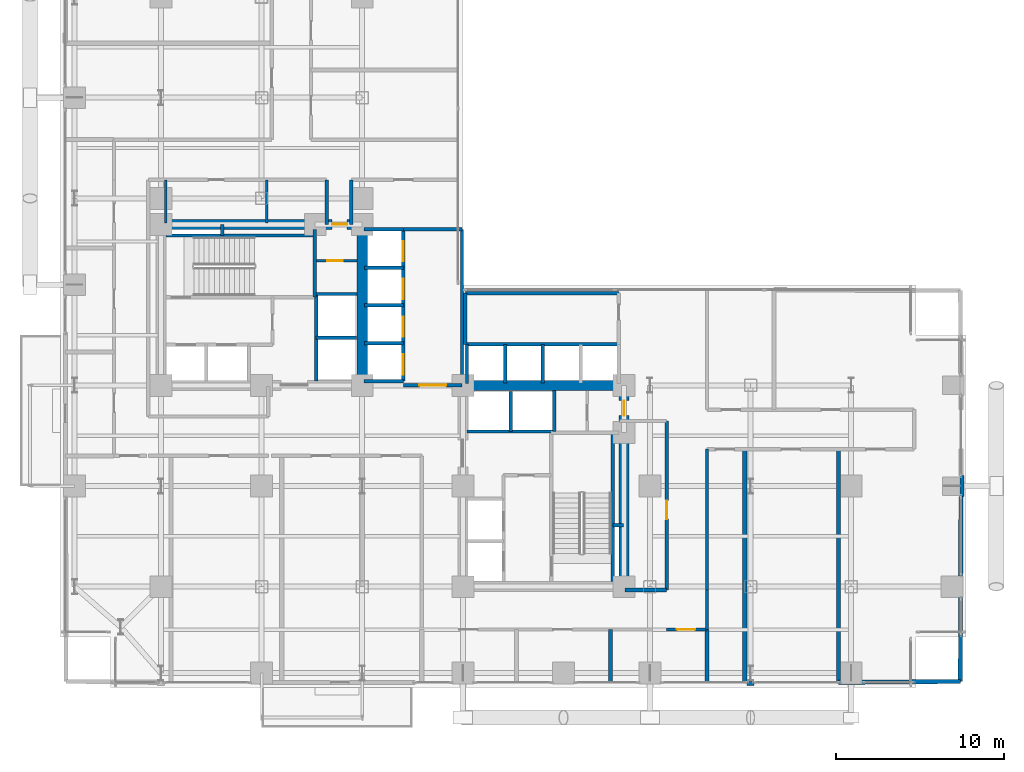
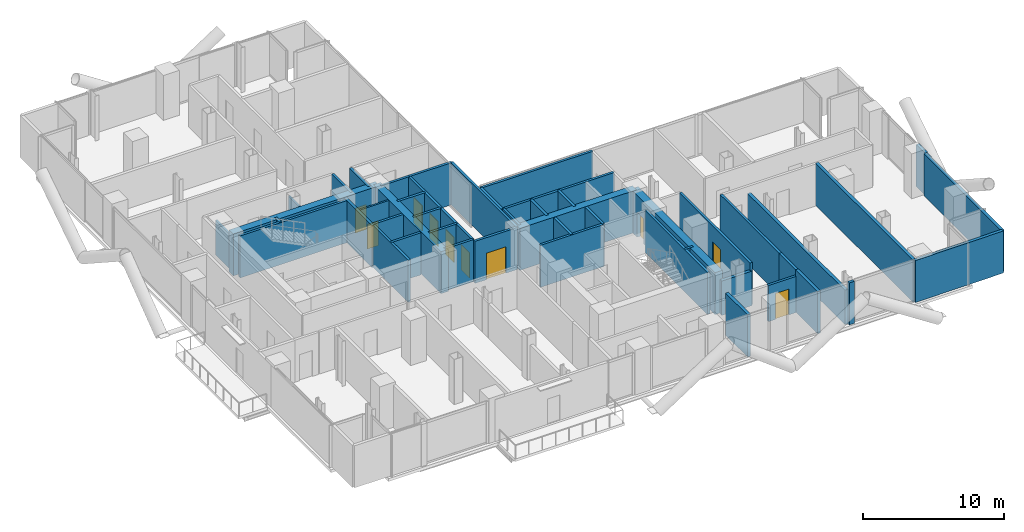
# One storey, part 21 of 25: 48 walls, 10 doors, 10 openings.
"""IFC4 building model written with IfcOpenShell, lengths in metres."""

from ifc_helpers import new_model, si_unit, direction, frame, frame_2d, origin, place, context, subcontext, project, spatial, rectangle, extrude, material, layer, layer_set, type_object, element, fill, save


model = new_model("IFC4")

# Units and contexts
model_context = context("Model", 3, precision=1e-05, world=origin(), true_north=direction((0.0, 1.0)))
body_context = subcontext(model_context, "Body", "Model", "MODEL_VIEW")
ifc_project = project(units=[si_unit("LENGTHUNIT", "METRE"), si_unit("AREAUNIT", "SQUARE_METRE"), si_unit("VOLUMEUNIT", "CUBIC_METRE"), si_unit("PLANEANGLEUNIT", "RADIAN"), si_unit("MASSUNIT", "GRAM", prefix="KILO"), si_unit("THERMODYNAMICTEMPERATUREUNIT", "KELVIN"), si_unit("POWERUNIT", "WATT")], contexts=[model_context])

# Site, building, storey
site_placement = place(None, origin())
site = spatial("IfcSite", under=ifc_project, at=site_placement, CompositionType="ELEMENT")
building_placement = place(site_placement, origin())
building = spatial("IfcBuilding", under=site, at=building_placement, Name="Svarakhadi Broadcast Tower", CompositionType="ELEMENT")
storey_placement = place(building_placement, frame((0.0, 0.0, 83.10009765625)))
storey = spatial("IfcBuildingStorey", under=building, at=storey_placement, Name="L19", CompositionType="ELEMENT", Elevation=83.10009765625)

# Wall, opening, door
ifc_material_1 = material(Name="Double-Stud Acoustic Studio Partition STC-62", Category="gypsum")
ifc_layer_1 = layer(ifc_material_1, 0.199951171875)
ifc_layer_set_1 = layer_set([ifc_layer_1], Name="Double-Stud Acoustic Studio Partition STC-62")
wall_type_1 = type_object("IfcWallType", Name="Wall_Acoust_200", PredefinedType="PARTITIONING", material=ifc_layer_set_1)
wall_1_placement = place(storey_placement, frame((36.14990234375, 5.800048828125, 0.0), z_axis=(0.0, 0.0, 1.0), x_axis=(0.0, 1.0, 0.0)))
wall_1 = element("IfcWall", 1, at=wall_1_placement, inside=storey, type_object=wall_type_1, Name="L19 Broadcast Corridor Wall", PredefinedType="PARTITIONING", context=body_context, shape_type="SweptSolid", body=[
    extrude(rectangle(XDim=10.079833984375, YDim=0.199951171875, at=frame_2d((5.0400390625, 0.0))), origin(), (0.0, 0.0, 1.0), 3.64990234375),
])
opening_1_placement = place(wall_1_placement, frame((4.22998046875, 0.0, 0.0)))
opening_1 = element("IfcOpeningElement", 2, at=opening_1_placement, cuts=wall_1, Name="Opening D-10", PredefinedType="OPENING", context=body_context, shape_type="SweptSolid", body=[
    extrude(rectangle(XDim=1.10009765625, YDim=2.25, at=frame_2d((0.550048828125, 1.125))), frame((0.0, 0.10986328125, 0.0), z_axis=(0.0, -1.0, 0.0), x_axis=(1.0, 0.0, 0.0)), (0.0, 0.0, 1.0), 0.219970703125),
])
ifc_material_2 = material(Name="Solid-Core Teak Veneer Acoustic Timber Leaf", Category="wood")
door_type_1 = type_object("IfcDoorType", Name="Door_Acoust_D10", OperationType="SINGLE_SWING_LEFT", PredefinedType="DOOR", material=ifc_material_2)
door_1_placement = place(opening_1_placement, origin())
door_1 = element("IfcDoor", 3, at=door_1_placement, inside=storey, type_object=door_type_1, Name="L19 Live Feed Monitoring Studio Door", OperationType="SINGLE_SWING_LEFT", OverallHeight=2.25, OverallWidth=1.10009765625, PredefinedType="DOOR", context=body_context, shape_type="SweptSolid", body=[
    extrude(rectangle(XDim=1.10009765625, YDim=2.25, at=frame_2d((0.550048828125, 1.125))), frame((0.0, 0.02490234375, 0.0), z_axis=(0.0, -1.0, 0.0), x_axis=(1.0, 0.0, 0.0)), (0.0, 0.0, 1.0), 0.050048828125),
])
fill(opening_1, door_1)

# Walls
wall_2_placement = place(storey_placement, frame((38.550048828125, 14.199951171875, 0.0), z_axis=(0.0, 0.0, 1.0), x_axis=(0.0, -1.0, 0.0)))
element("IfcWall", 4, at=wall_2_placement, inside=storey, type_object=wall_type_1, Name="L19 Broadcast Corridor Wall", PredefinedType="PARTITIONING", context=body_context, shape_type="SweptSolid", body=[
    extrude(rectangle(XDim=8.39990234375, YDim=0.199951171875, at=frame_2d((4.199951171875, 0.0))), origin(), (0.0, 0.0, 1.0), 3.64990234375),
])
wall_3_placement = place(storey_placement, frame((38.550048828125, 5.800048828125, 0.0), z_axis=(0.0, 0.0, 1.0), x_axis=(0.0, -1.0, 0.0)))
element("IfcWall", 5, at=wall_3_placement, inside=storey, type_object=wall_type_1, Name="L19 Broadcast Corridor Wall", PredefinedType="PARTITIONING", context=body_context, shape_type="SweptSolid", body=[
    extrude(rectangle(XDim=2.35009765625, YDim=0.199951171875, at=frame_2d((1.175048828125, 0.0))), origin(), (0.0, 0.0, 1.0), 3.64990234375),
])

# Wall, opening, door
wall_4_placement = place(storey_placement, frame((38.550048828125, 3.449951171875, 0.0), z_axis=(0.0, 0.0, 1.0), x_axis=(-1.0, 0.0, 0.0)))
wall_4 = element("IfcWall", 6, at=wall_4_placement, inside=storey, type_object=wall_type_1, Name="L19 Broadcast Corridor Wall", PredefinedType="PARTITIONING", context=body_context, shape_type="SweptSolid", body=[
    extrude(rectangle(XDim=2.400146484375, YDim=0.199951171875, at=frame_2d((1.2001953125, 0.0))), origin(), (0.0, 0.0, 1.0), 3.141845703125),
])
opening_2_placement = place(wall_4_placement, frame((0.699951171875, 0.0, 0.0)))
opening_2 = element("IfcOpeningElement", 7, at=opening_2_placement, cuts=wall_4, Name="Opening D-11", PredefinedType="OPENING", context=body_context, shape_type="SweptSolid", body=[
    extrude(rectangle(XDim=1.10009765625, YDim=2.25, at=frame_2d((0.550048828125, 1.125))), frame((0.0, 0.10986328125, 0.0), z_axis=(0.0, -1.0, 0.0), x_axis=(1.0, 0.0, 0.0)), (0.0, 0.0, 1.0), 0.219970703125),
])
door_type_2 = type_object("IfcDoorType", Name="Door_Acoust_D11", OperationType="SINGLE_SWING_RIGHT", PredefinedType="DOOR", material=ifc_material_2)
door_2_placement = place(opening_2_placement, origin())
door_2 = element("IfcDoor", 8, at=door_2_placement, inside=storey, type_object=door_type_2, Name="L19 Broadcast Staff Refreshment Pantry Door", OperationType="SINGLE_SWING_RIGHT", OverallHeight=2.25, OverallWidth=1.10009765625, PredefinedType="DOOR", context=body_context, shape_type="SweptSolid", body=[
    extrude(rectangle(XDim=1.10009765625, YDim=2.25, at=frame_2d((0.550048828125, 1.125))), frame((0.0, 0.02490234375, 0.0), z_axis=(0.0, -1.0, 0.0), x_axis=(1.0, 0.0, 0.0)), (0.0, 0.0, 1.0), 0.050048828125),
])
fill(opening_2, door_2)

# Walls
for number, where, z_axis, x_axis, name in (
    (9, (17.35009765625, 30.25, 0.0), (0.0, 0.0, 1.0), (0.0, -1.0, 0.0), "L19 Broadcast Corridor Wall"),
    (10, (15.8798828125, 27.580078125, 0.0), (0.0, 0.0, 1.0), (0.0, 1.0, 0.0), "L19 Broadcast Corridor Wall"),
):
    element("IfcWall", number, at=place(storey_placement, frame(where, z_axis=z_axis, x_axis=x_axis)), inside=storey, type_object=wall_type_1, Name=name, PredefinedType="PARTITIONING", context=body_context, shape_type="SweptSolid", body=[
        extrude(rectangle(XDim=2.669921875, YDim=0.199951171875, at=frame_2d((1.3349609375, 0.0))), origin(), (0.0, 0.0, 1.0), 3.64990234375),
    ])
ifc_layer_2 = layer(ifc_material_1, 0.25)
ifc_layer_set_2 = layer_set([ifc_layer_2], Name="Double-Stud Acoustic Studio Partition STC-62")
wall_type_2 = type_object("IfcWallType", Name="Wall_Acoust_250", PredefinedType="PARTITIONING", material=ifc_layer_set_2)
wall_5_placement = place(storey_placement, frame((40.800048828125, 0.300048828125, 0.0), z_axis=(0.0, 0.0, 1.0), x_axis=(0.0, 1.0, 0.0)))
element("IfcWall", 11, at=wall_5_placement, inside=storey, type_object=wall_type_2, Name="L19 Podcast Roundtable Studio Wall", PredefinedType="PARTITIONING", context=body_context, shape_type="SweptSolid", body=[
    extrude(rectangle(XDim=13.89990234375, YDim=0.25, at=frame_2d((6.949951171875, 0.0))), origin(), (0.0, 0.0, 1.0), 2.991943359375),
])
wall_6_placement = place(storey_placement, frame((46.39990234375, 0.300048828125, 0.0), z_axis=(0.0, 0.0, 1.0), x_axis=(0.0, 1.0, 0.0)))
element("IfcWall", 12, at=wall_6_placement, inside=storey, type_object=wall_type_2, Name="L19 Green-Screen Vodcast Room Wall", PredefinedType="PARTITIONING", context=body_context, shape_type="SweptSolid", body=[
    extrude(rectangle(XDim=13.89990234375, YDim=0.25, at=frame_2d((6.949951171875, 0.0))), origin(), (0.0, 0.0, 1.0), 3.64990234375),
])
wall_7_placement = place(storey_placement, frame((46.39990234375, 0.300048828125, 0.0), z_axis=(0.0, 0.0, 1.0), x_axis=(0.999976173168, 0.006903122154, 0.0)))
element("IfcWall", 13, at=wall_7_placement, inside=storey, type_object=wall_type_2, Name="L19 Guest Waiting Lounge Wall", PredefinedType="PARTITIONING", context=body_context, shape_type="SweptSolid", body=[
    extrude(rectangle(XDim=7.250244140625, YDim=0.25, at=frame_2d((3.625, 0.0))), origin(), (0.0, 0.0, 1.0), 3.64990234375),
])
wall_8_placement = place(storey_placement, frame((53.64990234375, 0.35009765625, 0.0), z_axis=(0.0, 0.0, 1.0), x_axis=(0.003606251025, 0.999993497456, 0.0)))
element("IfcWall", 14, at=wall_8_placement, inside=storey, type_object=wall_type_2, Name="L19 Guest Waiting Lounge Wall", PredefinedType="PARTITIONING", context=body_context, shape_type="SweptSolid", body=[
    extrude(rectangle(XDim=11.034912109375, YDim=0.25, at=frame_2d((5.517578125, 0.0))), origin(), (0.0, 0.0, 1.0), 3.64990234375),
])
for number, where, z_axis, x_axis, name in (
    (15, (32.800048828125, 0.300048828125, 0.0), (0.0, 0.0, 1.0), (0.0, 1.0, 0.0), "L19 Media Legal Review Office Wall"),
    (16, (38.550048828125, 0.300048828125, 0.0), (0.0, 0.0, 1.0), (0.0, 1.0, 0.0), "L19 Broadcast Staff Refreshment Pantry Wall"),
):
    element("IfcWall", number, at=place(storey_placement, frame(where, z_axis=z_axis, x_axis=x_axis)), inside=storey, type_object=wall_type_2, Name=name, PredefinedType="PARTITIONING", context=body_context, shape_type="SweptSolid", body=[
        extrude(rectangle(XDim=3.14990234375, YDim=0.25, at=frame_2d((1.574951171875, 0.0))), origin(), (0.0, 0.0, 1.0), 3.64990234375),
    ])
wall_9_placement = place(storey_placement, frame((33.64990234375, 5.800048828125, 0.0), z_axis=(0.0, 0.0, 1.0), x_axis=(1.0, 0.0, 0.0)))
element("IfcWall", 17, at=wall_9_placement, inside=storey, type_object=wall_type_2, Name="L19 Live Feed Monitoring Studio Wall", PredefinedType="PARTITIONING", context=body_context, shape_type="SweptSolid", body=[
    extrude(rectangle(XDim=2.5, YDim=0.25, at=frame_2d((1.25, 0.0))), origin(), (0.0, 0.0, 1.0), 2.991943359375),
])
ifc_material_3 = material(Name="Concrete C40/50 (IS 456 M50)", Category="concrete")
ifc_layer_3 = layer(ifc_material_3, 0.239990234375)
ifc_layer_set_3 = layer_set([ifc_layer_3], Name="Concrete C40/50 (IS 456 M50)")
wall_type_3 = type_object("IfcWallType", Name="Wall_Ext_240", PredefinedType="SOLIDWALL", material=ifc_layer_set_3)
wall_10_placement = place(storey_placement, frame((53.760009765625, 12.614990234375, 0.0), z_axis=(0.0, 0.0, 1.0), x_axis=(0.0, -1.0, 0.0)))
element("IfcWall", 18, at=wall_10_placement, inside=storey, type_object=wall_type_3, Name="L19 Perimeter Bronze Spandrel Closure Wall 04", PredefinedType="SOLIDWALL", context=body_context, shape_type="SweptSolid", body=[
    extrude(rectangle(XDim=1.22998046875, YDim=0.239990234375, at=frame_2d((0.614990234375, 0.0))), origin(), (0.0, 0.0, 1.0), 3.64990234375),
])
wall_11_placement = place(storey_placement, frame((41.364990234375, 0.239990234375, 0.0), z_axis=(0.0, 0.0, 1.0), x_axis=(-1.0, 0.0, 0.0)))
element("IfcWall", 19, at=wall_11_placement, inside=storey, type_object=wall_type_3, Name="L19 Perimeter Bronze Spandrel Closure Wall 05", PredefinedType="SOLIDWALL", context=body_context, shape_type="SweptSolid", body=[
    extrude(rectangle(XDim=0.429931640625, YDim=0.239990234375, at=frame_2d((0.21484375, 0.0))), origin(), (0.0, 0.0, 1.0), 3.64990234375),
])
ifc_layer_4 = layer(ifc_material_3, 0.199951171875)
ifc_layer_set_4 = layer_set([ifc_layer_4], Name="Concrete C40/50 (IS 456 M50)")
wall_type_4 = type_object("IfcWallType", Name="Wall_Fire_200", PredefinedType="SOLIDWALL", material=ifc_layer_set_4)
for number, where, z_axis, x_axis, name in (
    (20, (9.659912109375, 26.93994140625, 0.0), (0.0, 0.0, 1.0), (0.0, 1.0, 0.0), "L19 Wet Riser Shaft East Wall"),
    (21, (32.93994140625, 9.659912109375, 0.0), (0.0, 0.0, 1.0), (1.0, 0.0, 0.0), "L19 HV Busduct Riser Shaft North Wall"),
):
    element("IfcWall", number, at=place(storey_placement, frame(where, z_axis=z_axis, x_axis=x_axis)), inside=storey, type_object=wall_type_4, Name=name, PredefinedType="SOLIDWALL", context=body_context, shape_type="SweptSolid", body=[
        extrude(rectangle(XDim=0.64013671875, YDim=0.199951171875, at=frame_2d((0.320068359375, 0.0))), origin(), (0.0, 0.0, 1.0), 3.64990234375),
    ])

# Wall, opening, door
ifc_material_4 = material(Name="Autoclaved Aerated Concrete Blockwork 150 mm", Category="masonry")
ifc_layer_5 = layer(ifc_material_4, 0.14990234375)
ifc_layer_set_5 = layer_set([ifc_layer_5], Name="Autoclaved Aerated Concrete Blockwork 150 mm")
wall_type_5 = type_object("IfcWallType", Name="Wall_Part_150", PredefinedType="PARTITIONING", material=ifc_layer_set_5)
wall_12_placement = place(storey_placement, frame((15.280029296875, 25.43994140625, 0.0), z_axis=(0.0, 0.0, 1.0), x_axis=(1.0, 0.0, 0.0)))
wall_12 = element("IfcWall", 22, at=wall_12_placement, inside=storey, type_object=wall_type_5, Name="L19 West Core Dual Store Wall", PredefinedType="PARTITIONING", context=body_context, shape_type="SweptSolid", body=[
    extrude(rectangle(XDim=2.419921875, YDim=0.14990234375, at=frame_2d((1.2099609375, 0.0))), origin(), (0.0, 0.0, 1.0), 3.64990234375),
])
opening_3_placement = place(wall_12_placement, frame((0.64990234375, 0.0, 0.0)))
opening_3 = element("IfcOpeningElement", 23, at=opening_3_placement, cuts=wall_12, Name="Opening D-04", PredefinedType="OPENING", context=body_context, shape_type="SweptSolid", body=[
    extrude(rectangle(XDim=0.89990234375, YDim=2.14990234375, at=frame_2d((0.449951171875, 1.074951171875))), frame((0.0, 0.0849609375, 0.0), z_axis=(0.0, -1.0, 0.0), x_axis=(1.0, 0.0, 0.0)), (0.0, 0.0, 1.0), 0.169921875),
])
ifc_material_5 = material(Name="Galvanised Powder-Coated Fire-Rated Steel Leaf", Category="steel")
door_type_3 = type_object("IfcDoorType", Name="Door_Fire_D04", OperationType="SINGLE_SWING_RIGHT", PredefinedType="DOOR", material=ifc_material_5)
door_3_placement = place(opening_3_placement, origin())
door_3 = element("IfcDoor", 24, at=door_3_placement, inside=storey, type_object=door_type_3, Name="L19 West Core Store B Door", OperationType="SINGLE_SWING_RIGHT", OverallHeight=2.14990234375, OverallWidth=0.89990234375, PredefinedType="DOOR", context=body_context, shape_type="SweptSolid", body=[
    extrude(rectangle(XDim=0.89990234375, YDim=2.14990234375, at=frame_2d((0.449951171875, 1.074951171875))), frame((0.0, 0.02490234375, 0.0), z_axis=(0.0, -1.0, 0.0), x_axis=(1.0, 0.0, 0.0)), (0.0, 0.0, 1.0), 0.050048828125),
])
fill(opening_3, door_3)

# Walls
for number, where, z_axis, x_axis, name in (
    (25, (6.300048828125, 27.679931640625, 0.0), (0.0, 0.0, 1.0), (0.0, 1.0, 0.0), "L19 Accessible Toilet WC Wall"),
    (26, (12.300048828125, 27.679931640625, 0.0), (0.0, 0.0, 1.0), (0.0, 1.0, 0.0), "L19 Accessible Toilet WC Wall"),
):
    element("IfcWall", number, at=place(storey_placement, frame(where, z_axis=z_axis, x_axis=x_axis)), inside=storey, type_object=wall_type_5, Name=name, PredefinedType="PARTITIONING", context=body_context, shape_type="SweptSolid", body=[
        extrude(rectangle(XDim=2.570068359375, YDim=0.14990234375, at=frame_2d((1.28515625, 0.0))), origin(), (0.0, 0.0, 1.0), 2.991943359375),
    ])
ifc_material_6 = material(Name="Concrete C50/60 (IS 456 M60)", Category="concrete")
ifc_layer_6 = layer(ifc_material_6, 0.199951171875)
ifc_layer_set_6 = layer_set([ifc_layer_6], Name="Concrete C50/60 (IS 456 M60)")
wall_type_6 = type_object("IfcWallType", Name="Wall_Shear_200", PredefinedType="SHEAR", material=ifc_layer_set_6)
wall_13_placement = place(storey_placement, frame((6.300048828125, 26.93994140625, 0.0), z_axis=(0.0, 0.0, 1.0), x_axis=(1.0, 0.0, 0.0)))
element("IfcWall", 27, at=wall_13_placement, inside=storey, type_object=wall_type_6, Name="L19 Stair ST-01 North RC Shaft Wall", PredefinedType="SHEAR", context=body_context, shape_type="SweptSolid", body=[
    extrude(rectangle(XDim=8.8798828125, YDim=0.199951171875, at=frame_2d((4.43994140625, 0.0))), origin(), (0.0, 0.0, 1.0), 3.64990234375),
])
wall_14_placement = place(storey_placement, frame((15.179931640625, 23.260009765625, 0.0), z_axis=(0.0, 0.0, 1.0), x_axis=(0.0, 1.0, 0.0)))
element("IfcWall", 28, at=wall_14_placement, inside=storey, type_object=wall_type_6, Name="L19 Stair ST-01 East RC Shaft Wall", PredefinedType="SHEAR", context=body_context, shape_type="SweptSolid", body=[
    extrude(rectangle(XDim=4.0400390625, YDim=0.199951171875, at=frame_2d((2.02001953125, 0.0))), origin(), (0.0, 0.0, 1.0), 3.64990234375),
])
wall_15_placement = place(storey_placement, frame((32.93994140625, 6.300048828125, 0.0), z_axis=(0.0, 0.0, 1.0), x_axis=(0.0, 1.0, 0.0)))
element("IfcWall", 29, at=wall_15_placement, inside=storey, type_object=wall_type_6, Name="L19 Stair ST-02 East RC Shaft Wall", PredefinedType="SHEAR", context=body_context, shape_type="SweptSolid", body=[
    extrude(rectangle(XDim=8.8798828125, YDim=0.199951171875, at=frame_2d((4.43994140625, 0.0))), origin(), (0.0, 0.0, 1.0), 3.64990234375),
])
wall_16_placement = place(storey_placement, frame((15.25, 18.25, 0.0), z_axis=(0.0, 0.0, 1.0), x_axis=(0.0, 1.0, 0.0)))
element("IfcWall", 30, at=wall_16_placement, inside=storey, type_object=wall_type_6, Name="L19 High-Rise Lift LF-13/14 West Shaft Wall", PredefinedType="SHEAR", context=body_context, shape_type="SweptSolid", body=[
    extrude(rectangle(XDim=5.199951171875, YDim=0.199951171875, at=frame_2d((2.60009765625, 0.0))), origin(), (0.0, 0.0, 1.0), 3.64990234375),
])
wall_17_placement = place(storey_placement, frame((15.25, 20.85009765625, 0.0), z_axis=(0.0, 0.0, 1.0), x_axis=(1.0, 0.0, 0.0)))
element("IfcWall", 31, at=wall_17_placement, inside=storey, type_object=wall_type_6, Name="L19 High-Rise Lift LF-13/14 Divider", PredefinedType="SHEAR", context=body_context, shape_type="SweptSolid", body=[
    extrude(rectangle(XDim=2.39990234375, YDim=0.199951171875, at=frame_2d((1.199951171875, 0.0))), origin(), (0.0, 0.0, 1.0), 3.64990234375),
])
wall_18_placement = place(storey_placement, frame((15.25, 23.449951171875, 0.0), z_axis=(0.0, 0.0, 1.0), x_axis=(1.0, 0.0, 0.0)))
element("IfcWall", 32, at=wall_18_placement, inside=storey, type_object=wall_type_6, Name="L19 High-Rise Lift LF-13/14 North Wall", PredefinedType="SHEAR", context=body_context, shape_type="SweptSolid", body=[
    extrude(rectangle(XDim=2.449951171875, YDim=0.199951171875, at=frame_2d((1.22509765625, 0.0))), origin(), (0.0, 0.0, 1.0), 3.64990234375),
])
wall_19_placement = place(storey_placement, frame((24.25, 15.25, 0.0), z_axis=(0.0, 0.0, 1.0), x_axis=(1.0, 0.0, 0.0)))
element("IfcWall", 33, at=wall_19_placement, inside=storey, type_object=wall_type_6, Name="L19 High-Rise Lift LF-15/16 South Shaft Wall", PredefinedType="SHEAR", context=body_context, shape_type="SweptSolid", body=[
    extrude(rectangle(XDim=5.199951171875, YDim=0.199951171875, at=frame_2d((2.60009765625, 0.0))), origin(), (0.0, 0.0, 1.0), 3.64990234375),
])
wall_20_placement = place(storey_placement, frame((26.85009765625, 15.25, 0.0), z_axis=(0.0, 0.0, 1.0), x_axis=(0.0, 1.0, 0.0)))
element("IfcWall", 34, at=wall_20_placement, inside=storey, type_object=wall_type_6, Name="L19 High-Rise Lift LF-15/16 Divider", PredefinedType="SHEAR", context=body_context, shape_type="SweptSolid", body=[
    extrude(rectangle(XDim=2.39990234375, YDim=0.199951171875, at=frame_2d((1.199951171875, 0.0))), origin(), (0.0, 0.0, 1.0), 3.64990234375),
])
wall_21_placement = place(storey_placement, frame((29.449951171875, 15.25, 0.0), z_axis=(0.0, 0.0, 1.0), x_axis=(0.0, 1.0, 0.0)))
element("IfcWall", 35, at=wall_21_placement, inside=storey, type_object=wall_type_6, Name="L19 High-Rise Lift LF-15/16 East Wall", PredefinedType="SHEAR", context=body_context, shape_type="SweptSolid", body=[
    extrude(rectangle(XDim=2.449951171875, YDim=0.199951171875, at=frame_2d((1.22509765625, 0.0))), origin(), (0.0, 0.0, 1.0), 3.64990234375),
])
for number, where, z_axis, x_axis, name in (
    (36, (18.10009765625, 27.300048828125, 0.0), (0.0, 0.0, 1.0), (1.0, 0.0, 0.0), "L19 Bank A North Shaft Wall"),
    (37, (18.10009765625, 18.25, 0.0), (0.0, 0.0, 1.0), (1.0, 0.0, 0.0), "L19 Bank A South Shaft Wall"),
):
    element("IfcWall", number, at=place(storey_placement, frame(where, z_axis=z_axis, x_axis=x_axis)), inside=storey, type_object=wall_type_6, Name=name, PredefinedType="SHEAR", context=body_context, shape_type="SweptSolid", body=[
        extrude(rectangle(XDim=2.349853515625, YDim=0.199951171875, at=frame_2d((1.1748046875, 0.0))), origin(), (0.0, 0.0, 1.0), 3.64990234375),
    ])

# Wall, openings, doors
wall_22_placement = place(storey_placement, frame((20.449951171875, 18.25, 0.0), z_axis=(0.0, 0.0, 1.0), x_axis=(0.0, 1.0, 0.0)))
wall_22 = element("IfcWall", 38, at=wall_22_placement, inside=storey, type_object=wall_type_6, Name="L19 Bank A East Landing Wall", PredefinedType="SHEAR", context=body_context, shape_type="SweptSolid", body=[
    extrude(rectangle(XDim=9.050048828125, YDim=0.199951171875, at=frame_2d((4.52490234375, 0.0))), origin(), (0.0, 0.0, 1.0), 3.64990234375),
])
opening_4_placement = place(wall_22_placement, frame((0.39990234375, 0.0, 0.0)))
opening_4 = element("IfcOpeningElement", 39, at=opening_4_placement, cuts=wall_22, Name="Opening LD-02", PredefinedType="OPENING", context=body_context, shape_type="SweptSolid", body=[
    extrude(rectangle(XDim=1.199951171875, YDim=2.199951171875, at=frame_2d((0.60009765625, 1.10009765625))), frame((0.0, 0.10986328125, 0.0), z_axis=(0.0, -1.0, 0.0), x_axis=(1.0, 0.0, 0.0)), (0.0, 0.0, 1.0), 0.219970703125),
])
opening_5_placement = place(wall_22_placement, frame((2.64990234375, 0.0, 0.0)))
opening_5 = element("IfcOpeningElement", 40, at=opening_5_placement, cuts=wall_22, Name="Opening LD-02", PredefinedType="OPENING", context=body_context, shape_type="SweptSolid", body=[
    extrude(rectangle(XDim=1.199951171875, YDim=2.199951171875, at=frame_2d((0.60009765625, 1.10009765625))), frame((0.0, 0.10986328125, 0.0), z_axis=(0.0, -1.0, 0.0), x_axis=(1.0, 0.0, 0.0)), (0.0, 0.0, 1.0), 0.219970703125),
])
opening_6_placement = place(wall_22_placement, frame((4.89990234375, 0.0, 0.0)))
opening_6 = element("IfcOpeningElement", 41, at=opening_6_placement, cuts=wall_22, Name="Opening LD-02", PredefinedType="OPENING", context=body_context, shape_type="SweptSolid", body=[
    extrude(rectangle(XDim=1.199951171875, YDim=2.199951171875, at=frame_2d((0.60009765625, 1.10009765625))), frame((0.0, 0.10986328125, 0.0), z_axis=(0.0, -1.0, 0.0), x_axis=(1.0, 0.0, 0.0)), (0.0, 0.0, 1.0), 0.219970703125),
])
opening_7_placement = place(wall_22_placement, frame((7.14990234375, 0.0, 0.0)))
opening_7 = element("IfcOpeningElement", 42, at=opening_7_placement, cuts=wall_22, Name="Opening LD-02", PredefinedType="OPENING", context=body_context, shape_type="SweptSolid", body=[
    extrude(rectangle(XDim=1.199951171875, YDim=2.199951171875, at=frame_2d((0.60009765625, 1.10009765625))), frame((0.0, 0.10986328125, 0.0), z_axis=(0.0, -1.0, 0.0), x_axis=(1.0, 0.0, 0.0)), (0.0, 0.0, 1.0), 0.219970703125),
])
door_type_4 = type_object("IfcDoorType", Name="Door_Lift_LD02", OperationType="SLIDING_TO_RIGHT", PredefinedType="DOOR", material=ifc_material_5)
door_4_placement = place(opening_4_placement, origin())
door_4 = element("IfcDoor", 43, at=door_4_placement, inside=storey, type_object=door_type_4, Name="L19 Low-Rise Lift LF-05 Landing Door", OperationType="SLIDING_TO_RIGHT", OverallHeight=2.199951171875, OverallWidth=1.199951171875, PredefinedType="DOOR", context=body_context, shape_type="SweptSolid", body=[
    extrude(rectangle(XDim=1.199951171875, YDim=2.199951171875, at=frame_2d((0.60009765625, 1.10009765625))), frame((0.0, 0.02490234375, 0.0), z_axis=(0.0, -1.0, 0.0), x_axis=(1.0, 0.0, 0.0)), (0.0, 0.0, 1.0), 0.050048828125),
])
fill(opening_4, door_4)
door_5_placement = place(opening_5_placement, origin())
door_5 = element("IfcDoor", 44, at=door_5_placement, inside=storey, type_object=door_type_4, Name="L19 Low-Rise Lift LF-06 Landing Door", OperationType="SLIDING_TO_RIGHT", OverallHeight=2.199951171875, OverallWidth=1.199951171875, PredefinedType="DOOR", context=body_context, shape_type="SweptSolid", body=[
    extrude(rectangle(XDim=1.199951171875, YDim=2.199951171875, at=frame_2d((0.60009765625, 1.10009765625))), frame((0.0, 0.02490234375, 0.0), z_axis=(0.0, -1.0, 0.0), x_axis=(1.0, 0.0, 0.0)), (0.0, 0.0, 1.0), 0.050048828125),
])
fill(opening_5, door_5)
door_6_placement = place(opening_6_placement, origin())
door_6 = element("IfcDoor", 45, at=door_6_placement, inside=storey, type_object=door_type_4, Name="L19 Low-Rise Lift LF-07 Landing Door", OperationType="SLIDING_TO_RIGHT", OverallHeight=2.199951171875, OverallWidth=1.199951171875, PredefinedType="DOOR", context=body_context, shape_type="SweptSolid", body=[
    extrude(rectangle(XDim=1.199951171875, YDim=2.199951171875, at=frame_2d((0.60009765625, 1.10009765625))), frame((0.0, 0.02490234375, 0.0), z_axis=(0.0, -1.0, 0.0), x_axis=(1.0, 0.0, 0.0)), (0.0, 0.0, 1.0), 0.050048828125),
])
fill(opening_6, door_6)
door_7_placement = place(opening_7_placement, origin())
door_7 = element("IfcDoor", 46, at=door_7_placement, inside=storey, type_object=door_type_4, Name="L19 Low-Rise Lift LF-08 Landing Door", OperationType="SLIDING_TO_RIGHT", OverallHeight=2.199951171875, OverallWidth=1.199951171875, PredefinedType="DOOR", context=body_context, shape_type="SweptSolid", body=[
    extrude(rectangle(XDim=1.199951171875, YDim=2.199951171875, at=frame_2d((0.60009765625, 1.10009765625))), frame((0.0, 0.02490234375, 0.0), z_axis=(0.0, -1.0, 0.0), x_axis=(1.0, 0.0, 0.0)), (0.0, 0.0, 1.0), 0.050048828125),
])
fill(opening_7, door_7)

# Walls
for number, where, z_axis, x_axis, name in (
    (47, (18.14990234375, 20.52001953125, 0.0), (0.0, 0.0, 1.0), (1.0, 0.0, 0.0), "L19 Bank A Divider"),
    (48, (18.14990234375, 22.77001953125, 0.0), (0.0, 0.0, 1.0), (1.0, 0.0, 0.0), "L19 Bank A Divider"),
    (49, (18.14990234375, 25.02001953125, 0.0), (0.0, 0.0, 1.0), (1.0, 0.0, 0.0), "L19 Bank A Divider"),
):
    element("IfcWall", number, at=place(storey_placement, frame(where, z_axis=z_axis, x_axis=x_axis)), inside=storey, type_object=wall_type_6, Name=name, PredefinedType="SHEAR", context=body_context, shape_type="SweptSolid", body=[
        extrude(rectangle(XDim=2.300048828125, YDim=0.199951171875, at=frame_2d((1.14990234375, 0.0))), origin(), (0.0, 0.0, 1.0), 3.64990234375),
    ])

# Wall, opening, door
wall_23_placement = place(storey_placement, frame((20.449951171875, 18.0, 0.0), z_axis=(0.0, 0.0, 1.0), x_axis=(1.0, 0.0, 0.0)))
wall_23 = element("IfcWall", 50, at=wall_23_placement, inside=storey, type_object=wall_type_6, Name="L19 Bank A Lift Hall South Wall", PredefinedType="SHEAR", context=body_context, shape_type="SweptSolid", body=[
    extrude(rectangle(XDim=3.5, YDim=0.199951171875, at=frame_2d((1.75, 0.0))), origin(), (0.0, 0.0, 1.0), 3.64990234375),
])
opening_8_placement = place(wall_23_placement, frame((0.949951171875, 0.0, 0.0)))
opening_8 = element("IfcOpeningElement", 51, at=opening_8_placement, cuts=wall_23, Name="Opening D-05", PredefinedType="OPENING", context=body_context, shape_type="SweptSolid", body=[
    extrude(rectangle(XDim=1.60009765625, YDim=2.300048828125, at=frame_2d((0.800048828125, 1.14990234375))), frame((0.0, 0.10986328125, 0.0), z_axis=(0.0, -1.0, 0.0), x_axis=(1.0, 0.0, 0.0)), (0.0, 0.0, 1.0), 0.219970703125),
])
ifc_material_7 = material(Name="Anodised Bronze Aluminium AA 6063-T6", Category="aluminium")
door_type_5 = type_object("IfcDoorType", Name="Door_Lobby_D05", OperationType="DOUBLE_DOOR_SLIDING", PredefinedType="DOOR", material=ifc_material_7)
door_8_placement = place(opening_8_placement, origin())
door_8 = element("IfcDoor", 52, at=door_8_placement, inside=storey, type_object=door_type_5, Name="L19 Low-Rise Lift Hall Corridor Door", OperationType="DOUBLE_DOOR_SLIDING", OverallHeight=2.300048828125, OverallWidth=1.60009765625, PredefinedType="DOOR", context=body_context, shape_type="SweptSolid", body=[
    extrude(rectangle(XDim=1.60009765625, YDim=2.300048828125, at=frame_2d((0.800048828125, 1.14990234375))), frame((0.0, 0.02490234375, 0.0), z_axis=(0.0, -1.0, 0.0), x_axis=(1.0, 0.0, 0.0)), (0.0, 0.0, 1.0), 0.050048828125),
])
fill(opening_8, door_8)

# Walls
wall_24_placement = place(storey_placement, frame((20.449951171875, 27.300048828125, 0.0), z_axis=(0.0, 0.0, 1.0), x_axis=(1.0, 0.0, 0.0)))
element("IfcWall", 53, at=wall_24_placement, inside=storey, type_object=wall_type_6, Name="L19 Bank A Lift Hall North Wall", PredefinedType="SHEAR", context=body_context, shape_type="SweptSolid", body=[
    extrude(rectangle(XDim=3.5, YDim=0.199951171875, at=frame_2d((1.75, 0.0))), origin(), (0.0, 0.0, 1.0), 3.64990234375),
])
wall_25_placement = place(storey_placement, frame((23.949951171875, 18.0, 0.0), z_axis=(0.0, 0.0, 1.0), x_axis=(0.0, 1.0, 0.0)))
element("IfcWall", 54, at=wall_25_placement, inside=storey, type_object=wall_type_6, Name="L19 Bank A Lift Hall East Wall", PredefinedType="SHEAR", context=body_context, shape_type="SweptSolid", body=[
    extrude(rectangle(XDim=9.300048828125, YDim=0.199951171875, at=frame_2d((4.64990234375, 0.0))), origin(), (0.0, 0.0, 1.0), 3.64990234375),
])
wall_26_placement = place(storey_placement, frame((24.25, 18.10009765625, 0.0), z_axis=(0.0, 0.0, 1.0), x_axis=(0.0, 1.0, 0.0)))
element("IfcWall", 55, at=wall_26_placement, inside=storey, type_object=wall_type_6, Name="L19 Bank B West Shaft Wall", PredefinedType="SHEAR", context=body_context, shape_type="SweptSolid", body=[
    extrude(rectangle(XDim=2.349853515625, YDim=0.199951171875, at=frame_2d((1.1748046875, 0.0))), origin(), (0.0, 0.0, 1.0), 3.64990234375),
])
wall_27_placement = place(storey_placement, frame((24.25, 20.449951171875, 0.0), z_axis=(0.0, 0.0, 1.0), x_axis=(1.0, 0.0, 0.0)))
element("IfcWall", 56, at=wall_27_placement, inside=storey, type_object=wall_type_6, Name="L19 Bank B North Landing Wall", PredefinedType="SHEAR", context=body_context, shape_type="SweptSolid", body=[
    extrude(rectangle(XDim=9.050048828125, YDim=0.199951171875, at=frame_2d((4.52490234375, 0.0))), origin(), (0.0, 0.0, 1.0), 3.64990234375),
])
for number, where, z_axis, x_axis, name in (
    (57, (26.52001953125, 18.14990234375, 0.0), (0.0, 0.0, 1.0), (0.0, 1.0, 0.0), "L19 Bank B Divider"),
    (58, (28.77001953125, 18.14990234375, 0.0), (0.0, 0.0, 1.0), (0.0, 1.0, 0.0), "L19 Bank B Divider"),
):
    element("IfcWall", number, at=place(storey_placement, frame(where, z_axis=z_axis, x_axis=x_axis)), inside=storey, type_object=wall_type_6, Name=name, PredefinedType="SHEAR", context=body_context, shape_type="SweptSolid", body=[
        extrude(rectangle(XDim=2.300048828125, YDim=0.199951171875, at=frame_2d((1.14990234375, 0.0))), origin(), (0.0, 0.0, 1.0), 3.64990234375),
    ])
wall_28_placement = place(storey_placement, frame((24.14990234375, 23.5, 0.0), z_axis=(0.0, 0.0, 1.0), x_axis=(1.0, 0.0, 0.0)))
element("IfcWall", 59, at=wall_28_placement, inside=storey, type_object=wall_type_6, Name="L19 Bank B Lift Hall North Wall", PredefinedType="SHEAR", context=body_context, shape_type="SweptSolid", body=[
    extrude(rectangle(XDim=9.150146484375, YDim=0.199951171875, at=frame_2d((4.5751953125, 0.0))), origin(), (0.0, 0.0, 1.0), 3.64990234375),
])
wall_29_placement = place(storey_placement, frame((24.14990234375, 20.449951171875, 0.0), z_axis=(0.0, 0.0, 1.0), x_axis=(0.0, 1.0, 0.0)))
element("IfcWall", 60, at=wall_29_placement, inside=storey, type_object=wall_type_6, Name="L19 Bank B Lift Hall West Wall", PredefinedType="SHEAR", context=body_context, shape_type="SweptSolid", body=[
    extrude(rectangle(XDim=3.050048828125, YDim=0.199951171875, at=frame_2d((1.52490234375, 0.0))), origin(), (0.0, 0.0, 1.0), 3.64990234375),
])

# Wall, opening, door
ifc_material_8 = material(Name="Concrete C60/75 (IS 456 M70)", Category="concrete")
ifc_layer_7 = layer(ifc_material_8, 0.60009765625)
ifc_layer_set_7 = layer_set([ifc_layer_7], Name="Concrete C60/75 (IS 456 M70)")
wall_type_7 = type_object("IfcWallType", Name="Wall_Shear_600", PredefinedType="SHEAR", material=ifc_layer_set_7)
wall_30_placement = place(storey_placement, frame((6.0, 27.60009765625, 0.0), z_axis=(0.0, 0.0, 1.0), x_axis=(1.0, 0.0, 0.0)))
wall_30 = element("IfcWall", 61, at=wall_30_placement, inside=storey, type_object=wall_type_7, Name="L19 West Core North Shear Wall", PredefinedType="SHEAR", context=body_context, shape_type="SweptSolid", body=[
    extrude(rectangle(XDim=12.0, YDim=0.60009765625, at=frame_2d((6.0, 0.0))), origin(), (0.0, 0.0, 1.0), 3.64990234375),
])
opening_9_placement = place(wall_30_placement, frame((10.199951171875, 0.0, 0.0)))
opening_9 = element("IfcOpeningElement", 62, at=opening_9_placement, cuts=wall_30, Name="Opening D-03", PredefinedType="OPENING", context=body_context, shape_type="SweptSolid", body=[
    extrude(rectangle(XDim=0.89990234375, YDim=2.14990234375, at=frame_2d((0.449951171875, 1.074951171875))), frame((0.0, 0.31005859375, 0.0), z_axis=(0.0, -1.0, 0.0), x_axis=(1.0, 0.0, 0.0)), (0.0, 0.0, 1.0), 0.6201171875),
])
door_type_6 = type_object("IfcDoorType", Name="Door_Fire_D03", OperationType="SINGLE_SWING_LEFT", PredefinedType="DOOR", material=ifc_material_5)
door_9_placement = place(opening_9_placement, origin())
door_9 = element("IfcDoor", 63, at=door_9_placement, inside=storey, type_object=door_type_6, Name="L19 West Core Store A Door", OperationType="SINGLE_SWING_LEFT", OverallHeight=2.14990234375, OverallWidth=0.89990234375, PredefinedType="DOOR", context=body_context, shape_type="SweptSolid", body=[
    extrude(rectangle(XDim=0.89990234375, YDim=2.14990234375, at=frame_2d((0.449951171875, 1.074951171875))), frame((0.0, 0.02490234375, 0.0), z_axis=(0.0, -1.0, 0.0), x_axis=(1.0, 0.0, 0.0)), (0.0, 0.0, 1.0), 0.050048828125),
])
fill(opening_9, door_9)

# Walls
for number, where, z_axis, x_axis, name in (
    (64, (18.0, 18.0, 0.0), (0.0, 0.0, 1.0), (0.0, 1.0, 0.0), "L19 West Core East Shear Wall"),
    (65, (24.0, 18.0, 0.0), (0.0, 0.0, 1.0), (1.0, 0.0, 0.0), "L19 East Core North Shear Wall"),
):
    element("IfcWall", number, at=place(storey_placement, frame(where, z_axis=z_axis, x_axis=x_axis)), inside=storey, type_object=wall_type_7, Name=name, PredefinedType="SHEAR", context=body_context, shape_type="SweptSolid", body=[
        extrude(rectangle(XDim=9.60009765625, YDim=0.60009765625, at=frame_2d((4.800048828125, 0.0))), origin(), (0.0, 0.0, 1.0), 3.64990234375),
    ])

# Wall, opening, door
wall_31_placement = place(storey_placement, frame((33.60009765625, 6.0, 0.0), z_axis=(0.0, 0.0, 1.0), x_axis=(0.0, 1.0, 0.0)))
wall_31 = element("IfcWall", 66, at=wall_31_placement, inside=storey, type_object=wall_type_7, Name="L19 East Core East Shear Wall", PredefinedType="SHEAR", context=body_context, shape_type="SweptSolid", body=[
    extrude(rectangle(XDim=12.0, YDim=0.60009765625, at=frame_2d((6.0, 0.0))), origin(), (0.0, 0.0, 1.0), 3.64990234375),
])
opening_10_placement = place(wall_31_placement, frame((10.199951171875, 0.0, 0.0)))
opening_10 = element("IfcOpeningElement", 67, at=opening_10_placement, cuts=wall_31, Name="Opening D-03", PredefinedType="OPENING", context=body_context, shape_type="SweptSolid", body=[
    extrude(rectangle(XDim=0.89990234375, YDim=2.14990234375, at=frame_2d((0.449951171875, 1.074951171875))), frame((0.0, 0.31005859375, 0.0), z_axis=(0.0, -1.0, 0.0), x_axis=(1.0, 0.0, 0.0)), (0.0, 0.0, 1.0), 0.6201171875),
])
door_10_placement = place(opening_10_placement, origin())
door_10 = element("IfcDoor", 68, at=door_10_placement, inside=storey, type_object=door_type_6, Name="L19 East Core Store A Door", OperationType="SINGLE_SWING_LEFT", OverallHeight=2.14990234375, OverallWidth=0.89990234375, PredefinedType="DOOR", context=body_context, shape_type="SweptSolid", body=[
    extrude(rectangle(XDim=0.89990234375, YDim=2.14990234375, at=frame_2d((0.449951171875, 1.074951171875))), frame((0.0, 0.02490234375, 0.0), z_axis=(0.0, -1.0, 0.0), x_axis=(1.0, 0.0, 0.0)), (0.0, 0.0, 1.0), 0.050048828125),
])
fill(opening_10, door_10)

save(model, "model.ifc")
